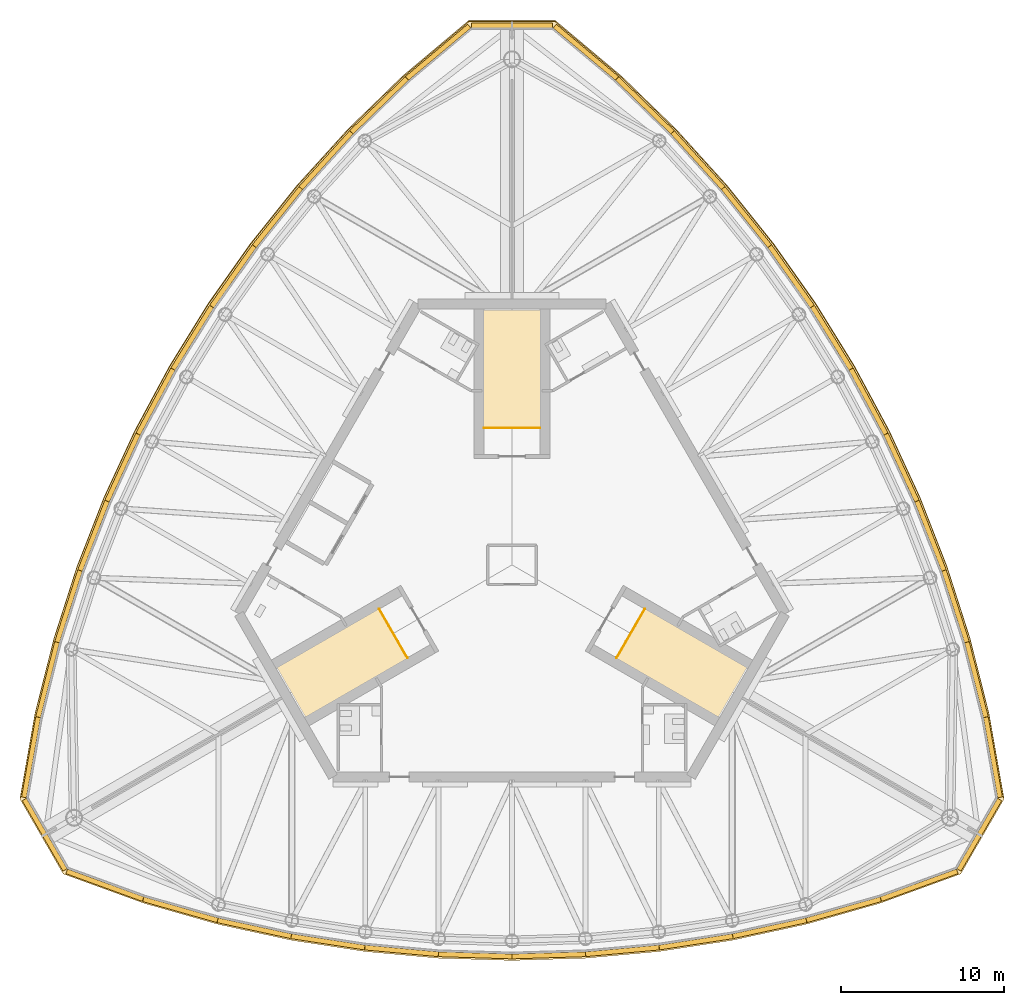
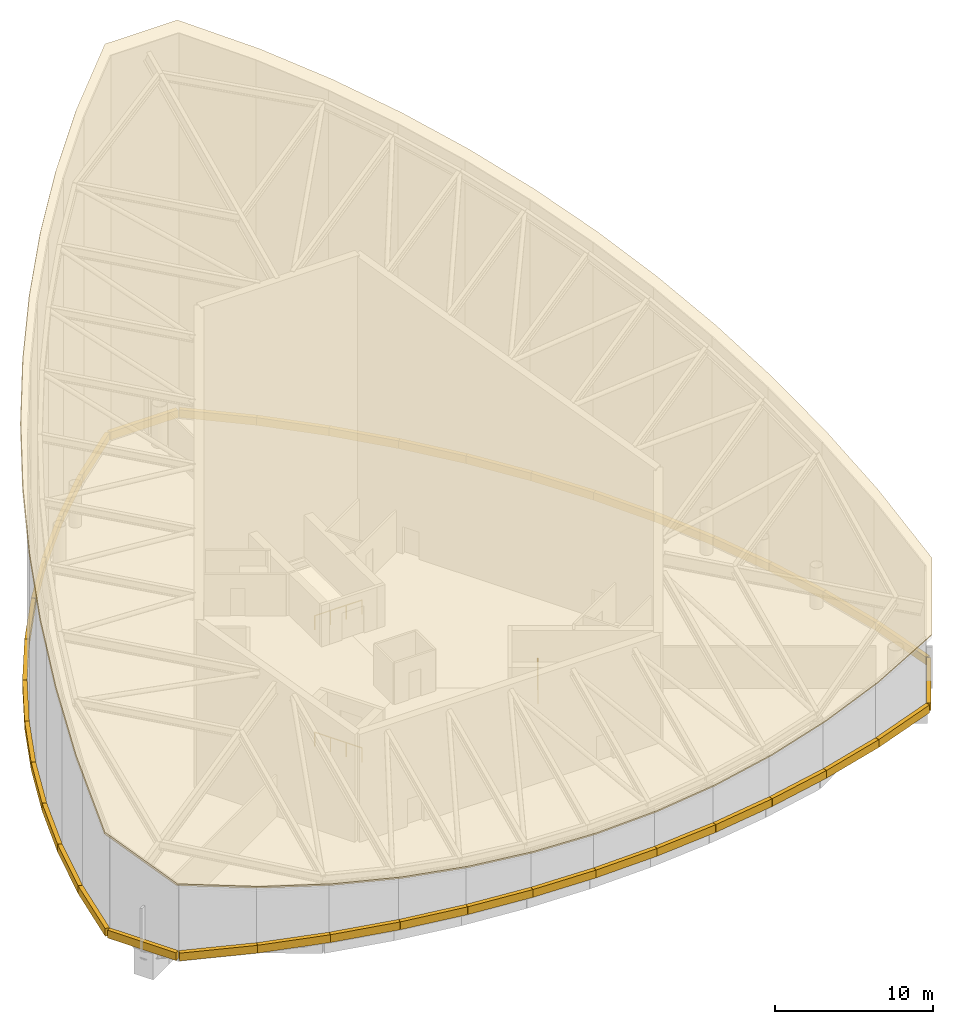
# One storey, part 8 of 10: 40 coverings, 3 railings.
"""IFC4 building model written with IfcOpenShell, lengths in metres."""

from ifc_helpers import new_model, si_unit, direction, frame, origin, origin_2d, place, context, subcontext, project, spatial, polyline, rectangle, circle, outline, extrude, material, layer, layer_set, type_object, element, save


model = new_model("IFC4")

# Units and contexts
model_context = context("Model", 3, precision=1e-05, world=origin(), true_north=direction((0.0, 1.0)))
body_context = subcontext(model_context, "Body", "Model", "MODEL_VIEW")
ifc_project = project(units=[si_unit("LENGTHUNIT", "METRE"), si_unit("AREAUNIT", "SQUARE_METRE"), si_unit("VOLUMEUNIT", "CUBIC_METRE"), si_unit("PLANEANGLEUNIT", "RADIAN"), si_unit("MASSUNIT", "GRAM", prefix="KILO")], contexts=[model_context])

# Site, building, storey
site_placement = place(None, origin())
site = spatial("IfcSite", under=ifc_project, at=site_placement, CompositionType="ELEMENT")
building_placement = place(site_placement, origin())
building = spatial("IfcBuilding", under=site, at=building_placement, Name="Trefoil Bronze Tower", CompositionType="ELEMENT")
storey_placement = place(building_placement, frame((0.0, 0.0, 328.5)))
storey = spatial("IfcBuildingStorey", under=building, at=storey_placement, Name="RF", CompositionType="ELEMENT", Elevation=328.5)

# Coverings
ifc_material_1 = material(Name="Stepped bronze-finish aluminium cornice", Category="aluminium")
covering_type_1 = type_object("IfcCoveringType", Name="Crown cornice 600x300", PredefinedType="MOLDING", material=ifc_material_1)
covering_1_placement = place(storey_placement, frame((-20.32861328125, -21.138671875, 0.0), z_axis=(0.0, 0.0, 1.0), x_axis=(0.962097746971, -0.272704831774, 0.0)))
element("IfcCovering", 1, at=covering_1_placement, inside=storey, type_object=covering_type_1, Name="Crown cornice 1", PredefinedType="MOLDING", context=body_context, shape_type="SweptSolid", body=[
    extrude(rectangle(XDim=4.7275390625, YDim=0.300048828125, at=origin_2d()), origin(), (0.0, 0.0, 1.0), 0.60009765625),
])
covering_2_placement = place(storey_placement, frame((-15.79248046875, -22.27392578125, 0.0), z_axis=(0.0, 0.0, 1.0), x_axis=(0.977303138833, -0.211845639151, 0.0)))
element("IfcCovering", 2, at=covering_2_placement, inside=storey, type_object=covering_type_1, Name="Crown cornice 2", PredefinedType="MOLDING", context=body_context, shape_type="SweptSolid", body=[
    extrude(rectangle(XDim=4.6044921875, YDim=0.300048828125, at=origin_2d()), origin(), (0.0, 0.0, 1.0), 0.60009765625),
])
covering_3_placement = place(storey_placement, frame((-11.2802734375, -23.1083984375, 0.0), z_axis=(0.0, 0.0, 1.0), x_axis=(0.98848533719, -0.151316681702, 0.0)))
element("IfcCovering", 3, at=covering_3_placement, inside=storey, type_object=covering_type_1, Name="Crown cornice 3", PredefinedType="MOLDING", context=body_context, shape_type="SweptSolid", body=[
    extrude(rectangle(XDim=4.552490234375, YDim=0.300048828125, at=origin_2d()), origin(), (0.0, 0.0, 1.0), 0.60009765625),
])
covering_4_placement = place(storey_placement, frame((-6.76806640625, -23.659423828125, 0.0), z_axis=(0.0, 0.0, 1.0), x_axis=(0.995870116255, -0.09078938016, 0.0)))
element("IfcCovering", 4, at=covering_4_placement, inside=storey, type_object=covering_type_1, Name="Crown cornice 4", PredefinedType="MOLDING", context=body_context, shape_type="SweptSolid", body=[
    extrude(rectangle(XDim=4.5185546875, YDim=0.300048828125, at=origin_2d()), origin(), (0.0, 0.0, 1.0), 0.60009765625),
])
for number, where, z_axis, x_axis, name in (
    (5, (-2.256103515625, -23.933349609375, 0.0), (0.0, 0.0, 1.0), (0.999541969785, -0.030263024264, 0.0), "Crown cornice 5"),
    (6, (2.256103515625, -23.933349609375, 0.0), (0.0, 0.0, 1.0), (0.999541969785, 0.030263024264, 0.0), "Crown cornice 6"),
):
    element("IfcCovering", number, at=place(storey_placement, frame(where, z_axis=z_axis, x_axis=x_axis)), inside=storey, type_object=covering_type_1, Name=name, PredefinedType="MOLDING", context=body_context, shape_type="SweptSolid", body=[
        extrude(rectangle(XDim=4.501953125, YDim=0.300048828125, at=origin_2d()), origin(), (0.0, 0.0, 1.0), 0.60009765625),
    ])
covering_5_placement = place(storey_placement, frame((6.76806640625, -23.659423828125, 0.0), z_axis=(0.0, 0.0, 1.0), x_axis=(0.995870116255, 0.09078938016, 0.0)))
element("IfcCovering", 7, at=covering_5_placement, inside=storey, type_object=covering_type_1, Name="Crown cornice 7", PredefinedType="MOLDING", context=body_context, shape_type="SweptSolid", body=[
    extrude(rectangle(XDim=4.5185546875, YDim=0.300048828125, at=origin_2d()), origin(), (0.0, 0.0, 1.0), 0.60009765625),
])
covering_6_placement = place(storey_placement, frame((11.2802734375, -23.1083984375, 0.0), z_axis=(0.0, 0.0, 1.0), x_axis=(0.98848533719, 0.151316681702, 0.0)))
element("IfcCovering", 8, at=covering_6_placement, inside=storey, type_object=covering_type_1, Name="Crown cornice 8", PredefinedType="MOLDING", context=body_context, shape_type="SweptSolid", body=[
    extrude(rectangle(XDim=4.552490234375, YDim=0.300048828125, at=origin_2d()), origin(), (0.0, 0.0, 1.0), 0.60009765625),
])
covering_7_placement = place(storey_placement, frame((15.79248046875, -22.27392578125, 0.0), z_axis=(0.0, 0.0, 1.0), x_axis=(0.977303138833, 0.211845639151, 0.0)))
element("IfcCovering", 9, at=covering_7_placement, inside=storey, type_object=covering_type_1, Name="Crown cornice 9", PredefinedType="MOLDING", context=body_context, shape_type="SweptSolid", body=[
    extrude(rectangle(XDim=4.6044921875, YDim=0.300048828125, at=origin_2d()), origin(), (0.0, 0.0, 1.0), 0.60009765625),
])
covering_8_placement = place(storey_placement, frame((20.32861328125, -21.138671875, 0.0), z_axis=(0.0, 0.0, 1.0), x_axis=(0.962097746971, 0.272704831774, 0.0)))
element("IfcCovering", 10, at=covering_8_placement, inside=storey, type_object=covering_type_1, Name="Crown cornice 10", PredefinedType="MOLDING", context=body_context, shape_type="SweptSolid", body=[
    extrude(rectangle(XDim=4.7275390625, YDim=0.300048828125, at=origin_2d()), origin(), (0.0, 0.0, 1.0), 0.60009765625),
])
for number, where, z_axis, x_axis, name in (
    (11, (24.95751953125, -19.637451171875, 0.0), (0.0, 0.0, 1.0), (0.939692620786, 0.342020143326, 0.0), "Crown cornice 11"),
    (12, (28.648681640625, -16.540283203125, 0.0), (0.0, 0.0, 1.0), (0.499999999894, 0.866025403846, 0.0), "Crown cornice 12"),
    (13, (29.4853515625, -11.795166015625, 0.0), (0.0, 0.0, 1.0), (-0.173648177581, 0.984807753027, 0.0), "Crown cornice 13"),
):
    element("IfcCovering", number, at=place(storey_placement, frame(where, z_axis=z_axis, x_axis=x_axis)), inside=storey, type_object=covering_type_1, Name=name, PredefinedType="MOLDING", context=body_context, shape_type="SweptSolid", body=[
        extrude(rectangle(XDim=4.982177734375, YDim=0.300048828125, at=origin_2d()), origin(), (0.0, 0.0, 1.0), 0.60009765625),
    ])
covering_9_placement = place(storey_placement, frame((28.470947265625, -7.035888671875, 0.0), z_axis=(0.0, 0.0, 1.0), x_axis=(-0.244879561384, 0.969553505701, 0.0)))
element("IfcCovering", 14, at=covering_9_placement, inside=storey, type_object=covering_type_1, Name="Crown cornice 14", PredefinedType="MOLDING", context=body_context, shape_type="SweptSolid", body=[
    extrude(rectangle(XDim=4.7275390625, YDim=0.300048828125, at=origin_2d()), origin(), (0.0, 0.0, 1.0), 0.60009765625),
])
covering_10_placement = place(storey_placement, frame((27.18603515625, -2.53955078125, 0.0), z_axis=(0.0, 0.0, 1.0), x_axis=(-0.305187864131, 0.952292165035, 0.0)))
element("IfcCovering", 15, at=covering_10_placement, inside=storey, type_object=covering_type_1, Name="Crown cornice 15", PredefinedType="MOLDING", context=body_context, shape_type="SweptSolid", body=[
    extrude(rectangle(XDim=4.6044921875, YDim=0.300048828125, at=origin_2d()), origin(), (0.0, 0.0, 1.0), 0.60009765625),
])
covering_11_placement = place(storey_placement, frame((25.652587890625, 1.78515625, 0.0), z_axis=(0.0, 0.0, 1.0), x_axis=(-0.363198578485, 0.931711754024, 0.0)))
element("IfcCovering", 16, at=covering_11_placement, inside=storey, type_object=covering_type_1, Name="Crown cornice 16", PredefinedType="MOLDING", context=body_context, shape_type="SweptSolid", body=[
    extrude(rectangle(XDim=4.552490234375, YDim=0.300048828125, at=origin_2d()), origin(), (0.0, 0.0, 1.0), 0.60009765625),
])
covering_12_placement = place(storey_placement, frame((23.873779296875, 5.96826171875, 0.0), z_axis=(0.0, 0.0, 1.0), x_axis=(-0.419309148436, 0.907843509663, 0.0)))
element("IfcCovering", 17, at=covering_12_placement, inside=storey, type_object=covering_type_1, Name="Crown cornice 17", PredefinedType="MOLDING", context=body_context, shape_type="SweptSolid", body=[
    extrude(rectangle(XDim=4.5185546875, YDim=0.300048828125, at=origin_2d()), origin(), (0.0, 0.0, 1.0), 0.60009765625),
])
for number, where, z_axis, x_axis, name in (
    (18, (21.85498046875, 10.012939453125, 0.0), (0.0, 0.0, 1.0), (-0.473562437131, 0.88076025009, 0.0), "Crown cornice 18"),
    (19, (19.598876953125, 13.92041015625, 0.0), (0.0, 0.0, 1.0), (-0.525979532567, 0.850497225933, 0.0), "Crown cornice 19"),
):
    element("IfcCovering", number, at=place(storey_placement, frame(where, z_axis=z_axis, x_axis=x_axis)), inside=storey, type_object=covering_type_1, Name=name, PredefinedType="MOLDING", context=body_context, shape_type="SweptSolid", body=[
        extrude(rectangle(XDim=4.501953125, YDim=0.300048828125, at=origin_2d()), origin(), (0.0, 0.0, 1.0), 0.60009765625),
    ])
covering_13_placement = place(storey_placement, frame((17.10546875, 17.691162109375, 0.0), z_axis=(0.0, 0.0, 1.0), x_axis=(-0.576560967897, 0.817054129356, 0.0)))
element("IfcCovering", 20, at=covering_13_placement, inside=storey, type_object=covering_type_1, Name="Crown cornice 20", PredefinedType="MOLDING", context=body_context, shape_type="SweptSolid", body=[
    extrude(rectangle(XDim=4.5185546875, YDim=0.300048828125, at=origin_2d()), origin(), (0.0, 0.0, 1.0), 0.60009765625),
])
covering_14_placement = place(storey_placement, frame((14.372314453125, 21.3232421875, 0.0), z_axis=(0.0, 0.0, 1.0), x_axis=(-0.625286758788, 0.780395072566, 0.0)))
element("IfcCovering", 21, at=covering_14_placement, inside=storey, type_object=covering_type_1, Name="Crown cornice 21", PredefinedType="MOLDING", context=body_context, shape_type="SweptSolid", body=[
    extrude(rectangle(XDim=4.552490234375, YDim=0.300048828125, at=origin_2d()), origin(), (0.0, 0.0, 1.0), 0.60009765625),
])
covering_15_placement = place(storey_placement, frame((11.3935546875, 24.8134765625, 0.0), z_axis=(0.0, 0.0, 1.0), x_axis=(-0.672115274667, 0.740446525793, 0.0)))
element("IfcCovering", 22, at=covering_15_placement, inside=storey, type_object=covering_type_1, Name="Crown cornice 22", PredefinedType="MOLDING", context=body_context, shape_type="SweptSolid", body=[
    extrude(rectangle(XDim=4.6044921875, YDim=0.300048828125, at=origin_2d()), origin(), (0.0, 0.0, 1.0), 0.60009765625),
])
covering_16_placement = place(storey_placement, frame((8.142333984375, 28.174560546875, 0.0), z_axis=(0.0, 0.0, 1.0), x_axis=(-0.717218185561, 0.696848673889, 0.0)))
element("IfcCovering", 23, at=covering_16_placement, inside=storey, type_object=covering_type_1, Name="Crown cornice 23", PredefinedType="MOLDING", context=body_context, shape_type="SweptSolid", body=[
    extrude(rectangle(XDim=4.7275390625, YDim=0.300048828125, at=origin_2d()), origin(), (0.0, 0.0, 1.0), 0.60009765625),
])
for number, where, z_axis, x_axis, name in (
    (24, (4.52783203125, 31.4326171875, 0.0), (0.0, 0.0, 1.0), (-0.76604444313, 0.642787609673, 0.0), "Crown cornice 24"),
    (25, (0.0, 33.08056640625, 0.0), (0.0, 0.0, 1.0), (-1.0, 0.0, 0.0), "Crown cornice 25"),
    (26, (-4.52783203125, 31.4326171875, 0.0), (0.0, 0.0, 1.0), (-0.76604444313, -0.642787609673, 0.0), "Crown cornice 26"),
):
    element("IfcCovering", number, at=place(storey_placement, frame(where, z_axis=z_axis, x_axis=x_axis)), inside=storey, type_object=covering_type_1, Name=name, PredefinedType="MOLDING", context=body_context, shape_type="SweptSolid", body=[
        extrude(rectangle(XDim=4.982177734375, YDim=0.300048828125, at=origin_2d()), origin(), (0.0, 0.0, 1.0), 0.60009765625),
    ])
covering_17_placement = place(storey_placement, frame((-8.142333984375, 28.174560546875, 0.0), z_axis=(0.0, 0.0, 1.0), x_axis=(-0.717218185561, -0.696848673889, 0.0)))
element("IfcCovering", 27, at=covering_17_placement, inside=storey, type_object=covering_type_1, Name="Crown cornice 27", PredefinedType="MOLDING", context=body_context, shape_type="SweptSolid", body=[
    extrude(rectangle(XDim=4.7275390625, YDim=0.300048828125, at=origin_2d()), origin(), (0.0, 0.0, 1.0), 0.60009765625),
])
covering_18_placement = place(storey_placement, frame((-11.3935546875, 24.8134765625, 0.0), z_axis=(0.0, 0.0, 1.0), x_axis=(-0.672115274667, -0.740446525793, 0.0)))
element("IfcCovering", 28, at=covering_18_placement, inside=storey, type_object=covering_type_1, Name="Crown cornice 28", PredefinedType="MOLDING", context=body_context, shape_type="SweptSolid", body=[
    extrude(rectangle(XDim=4.6044921875, YDim=0.300048828125, at=origin_2d()), origin(), (0.0, 0.0, 1.0), 0.60009765625),
])
covering_19_placement = place(storey_placement, frame((-14.372314453125, 21.3232421875, 0.0), z_axis=(0.0, 0.0, 1.0), x_axis=(-0.625286758788, -0.780395072566, 0.0)))
element("IfcCovering", 29, at=covering_19_placement, inside=storey, type_object=covering_type_1, Name="Crown cornice 29", PredefinedType="MOLDING", context=body_context, shape_type="SweptSolid", body=[
    extrude(rectangle(XDim=4.552490234375, YDim=0.300048828125, at=origin_2d()), origin(), (0.0, 0.0, 1.0), 0.60009765625),
])
covering_20_placement = place(storey_placement, frame((-17.10546875, 17.691162109375, 0.0), z_axis=(0.0, 0.0, 1.0), x_axis=(-0.576560967897, -0.817054129356, 0.0)))
element("IfcCovering", 30, at=covering_20_placement, inside=storey, type_object=covering_type_1, Name="Crown cornice 30", PredefinedType="MOLDING", context=body_context, shape_type="SweptSolid", body=[
    extrude(rectangle(XDim=4.5185546875, YDim=0.300048828125, at=origin_2d()), origin(), (0.0, 0.0, 1.0), 0.60009765625),
])
for number, where, z_axis, x_axis, name in (
    (31, (-19.598876953125, 13.92041015625, 0.0), (0.0, 0.0, 1.0), (-0.525979532567, -0.850497225933, 0.0), "Crown cornice 31"),
    (32, (-21.85498046875, 10.012939453125, 0.0), (0.0, 0.0, 1.0), (-0.473562437131, -0.88076025009, 0.0), "Crown cornice 32"),
):
    element("IfcCovering", number, at=place(storey_placement, frame(where, z_axis=z_axis, x_axis=x_axis)), inside=storey, type_object=covering_type_1, Name=name, PredefinedType="MOLDING", context=body_context, shape_type="SweptSolid", body=[
        extrude(rectangle(XDim=4.501953125, YDim=0.300048828125, at=origin_2d()), origin(), (0.0, 0.0, 1.0), 0.60009765625),
    ])
covering_21_placement = place(storey_placement, frame((-23.873779296875, 5.96826171875, 0.0), z_axis=(0.0, 0.0, 1.0), x_axis=(-0.419309148436, -0.907843509663, 0.0)))
element("IfcCovering", 33, at=covering_21_placement, inside=storey, type_object=covering_type_1, Name="Crown cornice 33", PredefinedType="MOLDING", context=body_context, shape_type="SweptSolid", body=[
    extrude(rectangle(XDim=4.5185546875, YDim=0.300048828125, at=origin_2d()), origin(), (0.0, 0.0, 1.0), 0.60009765625),
])
covering_22_placement = place(storey_placement, frame((-25.652587890625, 1.78515625, 0.0), z_axis=(0.0, 0.0, 1.0), x_axis=(-0.363198578485, -0.931711754024, 0.0)))
element("IfcCovering", 34, at=covering_22_placement, inside=storey, type_object=covering_type_1, Name="Crown cornice 34", PredefinedType="MOLDING", context=body_context, shape_type="SweptSolid", body=[
    extrude(rectangle(XDim=4.552490234375, YDim=0.300048828125, at=origin_2d()), origin(), (0.0, 0.0, 1.0), 0.60009765625),
])
covering_23_placement = place(storey_placement, frame((-27.18603515625, -2.53955078125, 0.0), z_axis=(0.0, 0.0, 1.0), x_axis=(-0.305187864131, -0.952292165035, 0.0)))
element("IfcCovering", 35, at=covering_23_placement, inside=storey, type_object=covering_type_1, Name="Crown cornice 35", PredefinedType="MOLDING", context=body_context, shape_type="SweptSolid", body=[
    extrude(rectangle(XDim=4.6044921875, YDim=0.300048828125, at=origin_2d()), origin(), (0.0, 0.0, 1.0), 0.60009765625),
])
covering_24_placement = place(storey_placement, frame((-28.470947265625, -7.035888671875, 0.0), z_axis=(0.0, 0.0, 1.0), x_axis=(-0.244879561384, -0.969553505701, 0.0)))
element("IfcCovering", 36, at=covering_24_placement, inside=storey, type_object=covering_type_1, Name="Crown cornice 36", PredefinedType="MOLDING", context=body_context, shape_type="SweptSolid", body=[
    extrude(rectangle(XDim=4.7275390625, YDim=0.300048828125, at=origin_2d()), origin(), (0.0, 0.0, 1.0), 0.60009765625),
])
for number, where, z_axis, x_axis, name in (
    (37, (-29.4853515625, -11.795166015625, 0.0), (0.0, 0.0, 1.0), (-0.173648177581, -0.984807753027, 0.0), "Crown cornice 37"),
    (38, (-28.648681640625, -16.540283203125, 0.0), (0.0, 0.0, 1.0), (0.499999999894, -0.866025403846, 0.0), "Crown cornice 38"),
    (39, (-24.95751953125, -19.637451171875, 0.0), (0.0, 0.0, 1.0), (0.939692620786, -0.342020143326, 0.0), "Crown cornice 39"),
):
    element("IfcCovering", number, at=place(storey_placement, frame(where, z_axis=z_axis, x_axis=x_axis)), inside=storey, type_object=covering_type_1, Name=name, PredefinedType="MOLDING", context=body_context, shape_type="SweptSolid", body=[
        extrude(rectangle(XDim=4.982177734375, YDim=0.300048828125, at=origin_2d()), origin(), (0.0, 0.0, 1.0), 0.60009765625),
    ])
ifc_material_2 = material(Name="Standing-seam bronze sheet on 180 mineral wool and vapour control layer", Category="insulation")
ifc_layer = layer(ifc_material_2, 0.199951171875)
ifc_layer_set = layer_set([ifc_layer], Name="Crown roof build-up 200")
covering_type_2 = type_object("IfcCoveringType", Name="Crown roof build-up 200", PredefinedType="ROOFING", material=ifc_layer_set)
covering_25_placement = place(storey_placement, frame((-22.54833984375, -20.751708984375, 5.166259765625), z_axis=(0.0, -0.422618203336, 0.906307814271), x_axis=(0.954416673432, -0.270512483754, -0.126142021578)))
element("IfcCovering", 40, at=covering_25_placement, inside=storey, type_object=covering_type_2, Name="Crown roof build-up", PredefinedType="ROOFING", context=body_context, shape_type="SweptSolid", body=[
    extrude(outline(polyline([(0.0, 0.0), (4.765570395363844, -1.3877787807814457e-16), (9.381727279148881, 0.3158124325426529), (13.90340711307162, 0.933726276208621), (18.333378900748876, 1.8448873182418495), (22.67317907866164, 3.044382623387855), (26.92312896163842, 4.5311847499213815), (31.082907234850712, 6.306321139567687), (35.15097746181751, 8.37470472758125), (39.12457063892202, 10.74518972671813), (43.041023010179934, 13.460343869089535), (47.189500315862624, 16.84944817830452), (48.204951091457126, 22.463312814545905), (45.61270889944035, 27.675170250865985), (42.99828202143472, 32.15637166171045), (40.21294595607801, 36.35467061643357), (37.23811056751114, 40.32787534116335), (34.07869362266421, 44.082345438111496), (30.737943200504205, 47.621599999769025), (27.21692715689583, 50.94713215147783), (23.51457763597439, 54.05744876789601), (19.627646558772877, 56.949030756532586), (15.55115011527435, 59.61572969566632), (11.230190812615508, 62.07276790568625), (6.242788896232398, 64.44418106197236), (1.1938874118749045, 62.865223467852566), (-1.5537731451927597, 58.07480180619444), (-3.7049519092458345, 53.59371310077708), (-5.535772727674166, 49.07960171351131), (-7.082678765814016, 44.4886800952424), (-8.353268855339206, 39.82316166168814), (-9.352217321310244, 35.08408790896697), (-10.081252450460372, 30.272077516642266), (-10.538645956056351, 25.38651180515067), (-10.719723513037666, 20.42634927837371), (-10.616820246643648, 15.389165340103089), (-10.212278068547851, 10.216860282284648), (-9.373217285443106, 4.456725342819036), (-5.3402326004464395, 0.42167255973435724), (0.0, 0.0)])), origin(), (0.0, 0.0, -1.0), 0.199951171875),
])

# Railings
ifc_material_3 = material(Name="Steel balustrade", Category="steel")
railing_type = type_object("IfcRailingType", Name="Stair guard 1100", PredefinedType="GUARDRAIL", material=ifc_material_3)
railing_1_placement = place(storey_placement, frame((6.412109375, -5.69384765625, 0.0)))
element("IfcRailing", 41, at=railing_1_placement, inside=storey, type_object=railing_type, Name="Stair guard ST1 RF", PredefinedType="GUARDRAIL", context=body_context, shape_type="SweptSolid", body=[
    extrude(circle(Radius=0.02392578125, at=origin_2d()), frame((0.0, 0.0, 1.076171875), z_axis=(0.500020560727, 0.866013532718, 0.0), x_axis=(-0.866013532718, 0.500020560727, 0.0)), (0.0, 0.0, 1.0), 3.449951171875),
    extrude(circle(Radius=0.02099609375, at=origin_2d()), origin(), (0.0, 0.0, 1.0), 1.052001953125),
    extrude(circle(Radius=0.02099609375, at=origin_2d()), frame((0.574951171875, 0.995849609375, 0.0)), (0.0, 0.0, 1.0), 1.052001953125),
    extrude(circle(Radius=0.02099609375, at=origin_2d()), frame((1.150146484375, 1.991943359375, 0.0)), (0.0, 0.0, 1.0), 1.052001953125),
    extrude(circle(Radius=0.02099609375, at=origin_2d()), frame((1.72509765625, 2.98779296875, 0.0)), (0.0, 0.0, 1.0), 1.052001953125),
])
railing_2_placement = place(storey_placement, frame((1.72509765625, 8.39990234375, 0.0)))
element("IfcRailing", 42, at=railing_2_placement, inside=storey, type_object=railing_type, Name="Stair guard ST2 RF", PredefinedType="GUARDRAIL", context=body_context, shape_type="SweptSolid", body=[
    extrude(circle(Radius=0.02392578125, at=origin_2d()), frame((0.0, 0.0, 1.076171875), z_axis=(-1.0, 0.0, 0.0), x_axis=(0.0, -1.0, 0.0)), (0.0, 0.0, 1.0), 3.4501953125),
    extrude(circle(Radius=0.02099609375, at=origin_2d()), origin(), (0.0, 0.0, 1.0), 1.052001953125),
    extrude(circle(Radius=0.02099609375, at=origin_2d()), frame((-1.150146484375, 0.0, 0.0)), (0.0, 0.0, 1.0), 1.052001953125),
    extrude(circle(Radius=0.02099609375, at=origin_2d()), frame((-2.300048828125, 0.0, 0.0)), (0.0, 0.0, 1.0), 1.052001953125),
    extrude(circle(Radius=0.02099609375, at=origin_2d()), frame((-3.4501953125, 0.0, 0.0)), (0.0, 0.0, 1.0), 1.052001953125),
])
railing_3_placement = place(storey_placement, frame((-8.13720703125, -2.7060546875, 0.0)))
element("IfcRailing", 43, at=railing_3_placement, inside=storey, type_object=railing_type, Name="Stair guard ST3 RF", PredefinedType="GUARDRAIL", context=body_context, shape_type="SweptSolid", body=[
    extrude(circle(Radius=0.02392578125, at=origin_2d()), frame((0.0, 0.0, 1.076171875), z_axis=(0.500020560727, -0.866013532718, 0.0), x_axis=(0.866013532718, 0.500020560727, 0.0)), (0.0, 0.0, 1.0), 3.449951171875),
    extrude(circle(Radius=0.02099609375, at=origin_2d()), origin(), (0.0, 0.0, 1.0), 1.052001953125),
    extrude(circle(Radius=0.02099609375, at=origin_2d()), frame((0.574951171875, -0.995849609375, 0.0)), (0.0, 0.0, 1.0), 1.052001953125),
    extrude(circle(Radius=0.02099609375, at=origin_2d()), frame((1.150146484375, -1.991943359375, 0.0)), (0.0, 0.0, 1.0), 1.052001953125),
    extrude(circle(Radius=0.02099609375, at=origin_2d()), frame((1.72509765625, -2.98779296875, 0.0)), (0.0, 0.0, 1.0), 1.052001953125),
])

save(model, "model.ifc")
